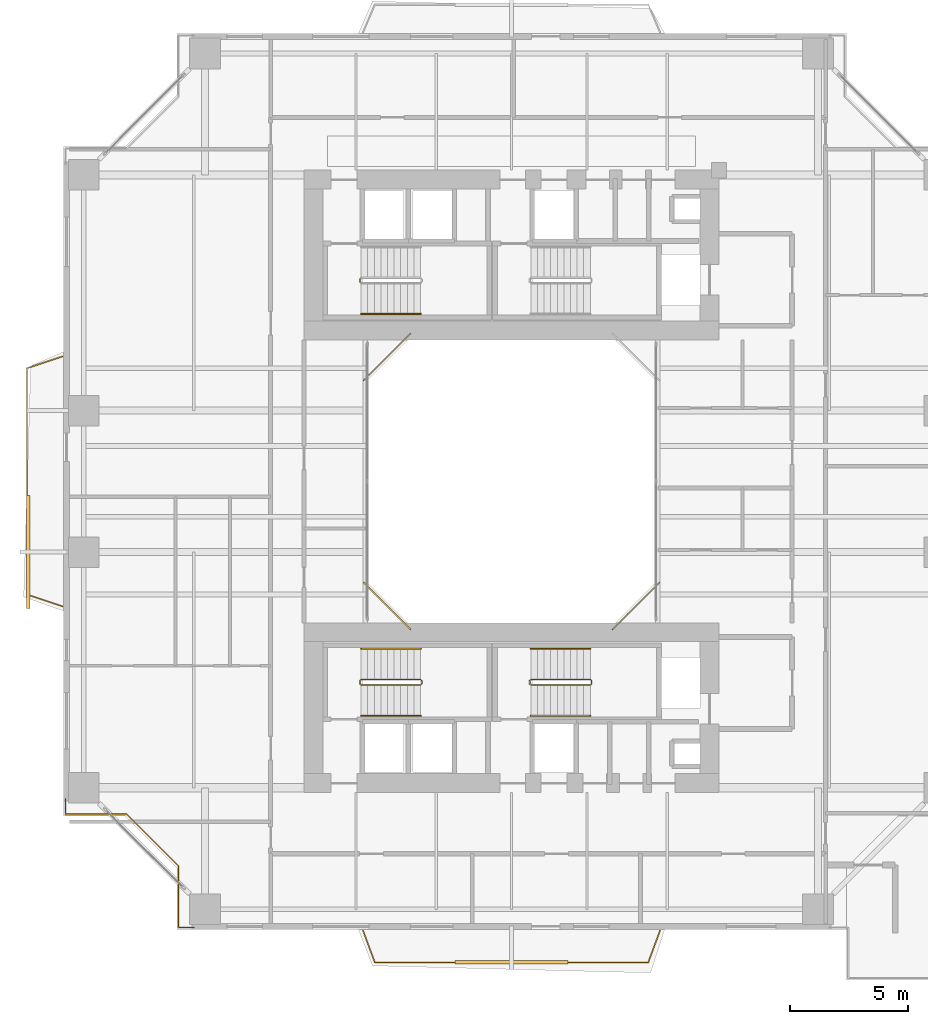
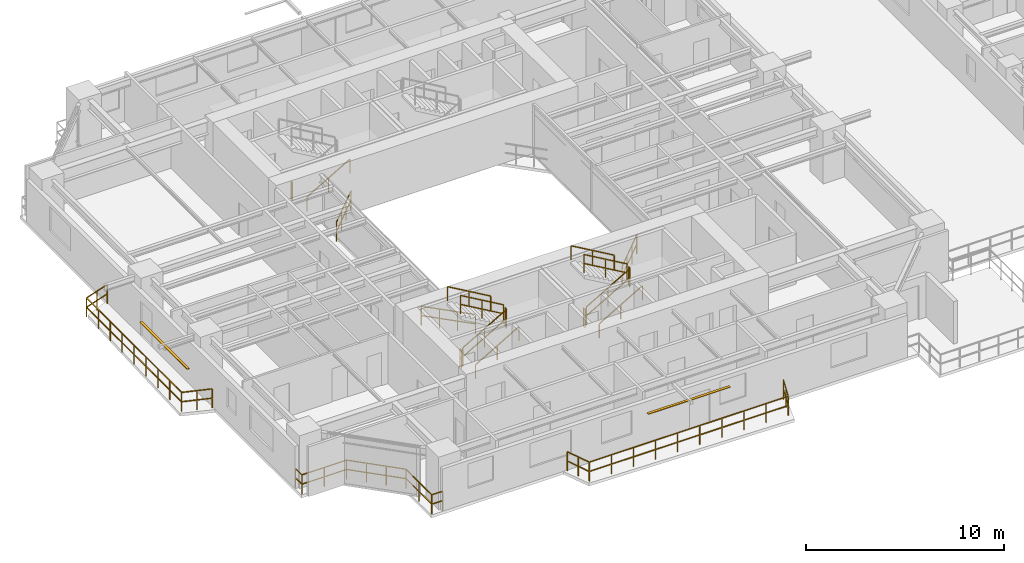
# One storey, part 18 of 22: 20 railings, 2 shading devices.
"""IFC4 building model written with IfcOpenShell, lengths in metres."""

import ifcopenshell
import ifcopenshell.guid

model = None  # the IFC model being written
_history = None  # IfcOwnerHistory: only IFC2X3 demands one
_inside = {}  # id of a spatial element -> (the spatial element, [elements in it])
_under = {}  # id of a project, library or spatial element -> (it, [spatial elements below it])
_declared = {}  # id of a project -> (the project, [libraries it declares])
_typed = {}  # id of a type object -> (the type object, [elements of that type])
_made_of = {}  # id of a material, layer set ... -> (it, [elements and type objects made of it])


def new_model(schema):
    """Start an empty IFC model of exactly this schema.

    Asked for "IFC4X3", IfcOpenShell would pick the latest addendum, in which some entities
    have other attributes; the version numbers below select the first issue.
    IFC2X3 requires an IfcOwnerHistory on every rooted entity: one is made here for all.
    """
    global model, _history
    if schema == "IFC4X3":
        model = ifcopenshell.file(schema_version=(4, 3, 0, 0))
    else:
        model = ifcopenshell.file(schema=schema)
    _inside.clear()
    _under.clear()
    _declared.clear()
    _typed.clear()
    _made_of.clear()
    _history = None
    if model.schema == "IFC2X3":
        org = make("IfcOrganization", Name="unknown")
        user = make(
            "IfcPersonAndOrganization",
            ThePerson=make("IfcPerson", FamilyName="unknown"),
            TheOrganization=org,
        )
        app = make(
            "IfcApplication",
            ApplicationDeveloper=org,
            Version="unknown",
            ApplicationFullName="unknown",
            ApplicationIdentifier="unknown",
        )
        _history = make(
            "IfcOwnerHistory",
            OwningUser=user,
            OwningApplication=app,
            ChangeAction="ADDED",
            CreationDate=0,
        )
    return model


def make(cls, **values):
    """One entity of the class cls with the attributes given. An attribute that is None is left unset."""
    return model.create_entity(
        cls, **{name: value for name, value in values.items() if value is not None}
    )


def rooted(cls, **values):
    """An entity with a GlobalId (a new one), such as an element, a storey or a relation."""
    return make(cls, GlobalId=ifcopenshell.guid.new(), OwnerHistory=_history, **values)


def si_unit(unit_type, name, prefix=None):
    """IfcSIUnit, for example si_unit("LENGTHUNIT", "METRE", prefix="MILLI")."""
    return make("IfcSIUnit", UnitType=unit_type, Prefix=prefix, Name=name)


def assignment(units):
    """IfcUnitAssignment: the units of a project."""
    return None if units is None else make("IfcUnitAssignment", Units=units)


def point(xyz):
    """IfcCartesianPoint."""
    return None if xyz is None else make("IfcCartesianPoint", Coordinates=xyz)


def direction(xyz):
    """IfcDirection."""
    return None if xyz is None else make("IfcDirection", DirectionRatios=xyz)


def frame(location, z_axis=None, x_axis=None):
    """IfcAxis2Placement3D, a coordinate frame: its origin and axes. An axis left out is left unset."""
    return make(
        "IfcAxis2Placement3D",
        Location=point(location),
        Axis=direction(z_axis),
        RefDirection=direction(x_axis),
    )


def frame_2d(location, x_axis=None):
    """IfcAxis2Placement2D, a coordinate frame in the plane: its origin and x axis."""
    return make(
        "IfcAxis2Placement2D", Location=point(location), RefDirection=direction(x_axis)
    )


def origin():
    """The frame at (0, 0, 0) with its axes left unset."""
    return frame((0.0, 0.0, 0.0))


def origin_2d():
    """The frame at (0, 0) in the plane with its x axis left unset."""
    return frame_2d((0.0, 0.0))


def place(relative_to, where):
    """IfcLocalPlacement: puts the frame where relative to a parent placement (None: the world)."""
    return make(
        "IfcLocalPlacement", PlacementRelTo=relative_to, RelativePlacement=where
    )


def context(
    kind, dimensions, precision=None, world=None, true_north=None, identifier=None
):
    """IfcGeometricRepresentationContext, for example the 3D "Model" context."""
    return make(
        "IfcGeometricRepresentationContext",
        ContextIdentifier=identifier,
        ContextType=kind,
        CoordinateSpaceDimension=dimensions,
        Precision=precision,
        WorldCoordinateSystem=world,
        TrueNorth=true_north,
    )


def subcontext(parent, identifier, kind, view, scale=None):
    """IfcGeometricRepresentationSubContext, for example "Body" below "Model"."""
    return make(
        "IfcGeometricRepresentationSubContext",
        ContextIdentifier=identifier,
        ContextType=kind,
        ParentContext=parent,
        TargetScale=scale,
        TargetView=view,
    )


def project(units=None, contexts=None):
    """IfcProject with its units and contexts."""
    return rooted(
        "IfcProject",
        Name="project",
        RepresentationContexts=contexts,
        UnitsInContext=assignment(units),
    )


def spatial(cls, under=None, at=None, **own):
    """A site, building, storey or space (cls), placed at a placement, below another one or the project."""
    s = rooted(cls, ObjectPlacement=at, **own)
    if under is not None:
        _under.setdefault(under.id(), (under, []))[1].append(s)
    return s


def profile(cls, at=None, kind="AREA", **sizes):
    """A parametric profile (cls). Its sizes go by their IFC names, for example OverallWidth=200.0."""
    return make(cls, ProfileType=kind, Position=at, **sizes)


def rectangle(**sizes):
    """IfcRectangleProfileDef."""
    return profile("IfcRectangleProfileDef", **sizes)


def extrude(swept, where, along, depth):
    """IfcExtrudedAreaSolid: the profile swept, set in the frame where, extruded along a direction by depth."""
    return make(
        "IfcExtrudedAreaSolid",
        SweptArea=swept,
        Position=where,
        ExtrudedDirection=direction(along),
        Depth=depth,
    )


def shape(context_of_items, identifier, shape_type, items):
    """IfcShapeRepresentation: the items that make up one representation, for example the "Body"."""
    return make(
        "IfcShapeRepresentation",
        ContextOfItems=context_of_items,
        RepresentationIdentifier=identifier,
        RepresentationType=shape_type,
        Items=items,
    )


def source(mapping_origin, context_of_items, identifier, shape_type, items):
    """IfcRepresentationMap: a shape defined once, which mapped items show again and again."""
    return make(
        "IfcRepresentationMap",
        MappingOrigin=mapping_origin,
        MappedRepresentation=shape(context_of_items, identifier, shape_type, items),
    )


def transform(
    local_origin,
    x_axis=None,
    y_axis=None,
    z_axis=None,
    scale=None,
    scale2=None,
    scale3=None,
    uniform=True,
):
    """IfcCartesianTransformationOperator3D, or its non-uniform kind. x_axis, y_axis, z_axis: its Axis1, 2, 3."""
    if uniform:
        return make(
            "IfcCartesianTransformationOperator3D",
            Axis1=direction(x_axis),
            Axis2=direction(y_axis),
            LocalOrigin=point(local_origin),
            Scale=scale,
            Axis3=direction(z_axis),
        )
    return make(
        "IfcCartesianTransformationOperator3DnonUniform",
        Axis1=direction(x_axis),
        Axis2=direction(y_axis),
        LocalOrigin=point(local_origin),
        Scale=scale,
        Axis3=direction(z_axis),
        Scale2=scale2,
        Scale3=scale3,
    )


def mapped(mapping_source, mapping_target):
    """IfcMappedItem: shows the shape of a source again, moved by a transform."""
    return make(
        "IfcMappedItem", MappingSource=mapping_source, MappingTarget=mapping_target
    )


def material(Name=None, Category=None):
    """IfcMaterial."""
    return make("IfcMaterial", Name=Name, Category=Category)


def material_profile(
    of_material, cross_section, Name=None, Category=None, Priority=None
):
    """IfcMaterialProfile: a cross section and its material."""
    return make(
        "IfcMaterialProfile",
        Name=Name,
        Material=of_material,
        Profile=cross_section,
        Priority=Priority,
        Category=Category,
    )


def profile_set(profiles, Name=None, composite=None):
    """IfcMaterialProfileSet."""
    return make(
        "IfcMaterialProfileSet",
        Name=Name,
        MaterialProfiles=profiles,
        CompositeProfile=composite,
    )


def made_of(thing, what):
    """Note that an element or type object is made of a material, layer set ...; save() writes the relation."""
    if what is not None:
        _made_of.setdefault(what.id(), (what, []))[1].append(thing)
    return thing


def type_object(cls, material=None, **own):
    """A type object (cls), such as IfcWallType, which elements share."""
    return made_of(rooted(cls, **own), material)


def element(
    cls,
    number,
    at=None,
    inside=None,
    cuts=None,
    type_object=None,
    material=None,
    context=None,
    identifier="Body",
    shape_type=None,
    held_by="IfcProductDefinitionShape",
    body=None,
    shapes=None,
    **own,
):
    """One element of the class cls, such as IfcWall. Its Tag is "e" and its number.

    at: its placement. inside: the storey or other place that contains it. cuts: it is an
    opening in that element (IfcRelVoidsElement). A single representation is given by context,
    identifier, shape_type and body (its items); several are given by shapes. held_by: the class
    of the entity that holds the representations. save() writes the other relations.
    """
    e = rooted(cls, Tag="e%d" % number, ObjectPlacement=at, **own)
    if body is not None:
        shapes = [shape(context, identifier, shape_type, body)]
    if shapes is not None:
        e.Representation = make(held_by, Representations=shapes)
    if inside is not None:
        _inside.setdefault(inside.id(), (inside, []))[1].append(e)
    if cuts is not None:
        rooted(
            "IfcRelVoidsElement", RelatingBuildingElement=cuts, RelatedOpeningElement=e
        )
    if type_object is not None:
        _typed.setdefault(type_object.id(), (type_object, []))[1].append(e)
    return made_of(e, material)


def aggregate(whole, parts):
    """IfcRelAggregates: a whole, such as a stair, and the parts it consists of."""
    return rooted("IfcRelAggregates", RelatingObject=whole, RelatedObjects=parts)


def save(model, path):
    """Write the relations noted so far, then the file.

    IfcRelAggregates (storeys below a building ...), IfcRelContainedInSpatialStructure (elements
    in a storey), IfcRelDefinesByType, IfcRelAssociatesMaterial and IfcRelDeclares: one each for
    every whole, place, type object, material and project.
    """
    for whole, parts in _under.values():
        aggregate(whole, parts)
    for where, things in _inside.values():
        rooted(
            "IfcRelContainedInSpatialStructure",
            RelatedElements=things,
            RelatingStructure=where,
        )
    for kind, things in _typed.values():
        rooted("IfcRelDefinesByType", RelatedObjects=things, RelatingType=kind)
    for what, things in _made_of.values():
        rooted("IfcRelAssociatesMaterial", RelatedObjects=things, RelatingMaterial=what)
    for by, libraries in _declared.values():
        rooted("IfcRelDeclares", RelatingContext=by, RelatedDefinitions=libraries)
    model.write(path)


model = new_model("IFC4")

# Units and contexts
model_context = context("Model", 3, precision=1e-05, world=origin(), true_north=direction((0.0, 1.0)))
body_context = subcontext(model_context, "Body", "Model", "MODEL_VIEW")
ifc_project = project(units=[si_unit("LENGTHUNIT", "METRE"), si_unit("AREAUNIT", "SQUARE_METRE"), si_unit("VOLUMEUNIT", "CUBIC_METRE"), si_unit("PLANEANGLEUNIT", "RADIAN"), si_unit("MASSUNIT", "GRAM", prefix="KILO"), si_unit("THERMODYNAMICTEMPERATUREUNIT", "KELVIN"), si_unit("POWERUNIT", "WATT")], contexts=[model_context])

# Site, building, storey
site_placement = place(None, origin())
site = spatial("IfcSite", under=ifc_project, at=site_placement, CompositionType="ELEMENT")
building_placement = place(site_placement, origin())
building = spatial("IfcBuilding", under=site, at=building_placement, Name="Qiaomeng Ring Towers", CompositionType="ELEMENT")
storey_placement = place(building_placement, frame((0.0, 0.0, 23.0)))
storey = spatial("IfcBuildingStorey", under=building, at=storey_placement, Name="L05", CompositionType="ELEMENT", Elevation=23.0)

# Railings
ifc_material_1 = material(Name="Low-E pale-green laminated safety glass", Category="glass")
railing_type_1 = type_object("IfcRailingType", Name="ARC-RL-BAL1", PredefinedType="BALUSTRADE", material=ifc_material_1)
railing_1_placement = place(storey_placement, frame((23.280029296875, 16.719970703125, 0.0)))
element("IfcRailing", 1, at=railing_1_placement, inside=storey, type_object=railing_type_1, Name="L05 Balustrade ARC-BAL-WELL1-L05-1", PredefinedType="BALUSTRADE", context=body_context, shape_type="SweptSolid", body=[
    extrude(rectangle(XDim=0.048095703125, YDim=0.048095703125, at=origin_2d()), frame((0.0, 0.0, 1.17578125), z_axis=(0.707106781187, 0.707106781187, 0.0), x_axis=(-0.707106781187, 0.707106781187, 0.0)), (0.0, 0.0, 1.0), 2.828369140625),
    extrude(rectangle(XDim=0.048095703125, YDim=0.048095703125, at=origin_2d()), frame((0.0, 0.0, 0.60009765625), z_axis=(0.707106781187, 0.707106781187, 0.0), x_axis=(-0.707106781187, 0.707106781187, 0.0)), (0.0, 0.0, 1.0), 2.828369140625),
    extrude(rectangle(XDim=0.0419921875, YDim=0.0419921875, at=origin_2d()), origin(), (0.0, 0.0, 1.0), 1.15185546875),
    extrude(rectangle(XDim=0.0419921875, YDim=0.0419921875, at=origin_2d()), frame((0.666748046875, 0.666748046875, 0.0)), (0.0, 0.0, 1.0), 1.15185546875),
    extrude(rectangle(XDim=0.0419921875, YDim=0.0419921875, at=origin_2d()), frame((1.333251953125, 1.333251953125, 0.0)), (0.0, 0.0, 1.0), 1.15185546875),
    extrude(rectangle(XDim=0.0419921875, YDim=0.0419921875, at=origin_2d()), frame((2.0, 2.0, 0.0)), (0.0, 0.0, 1.0), 1.15185546875),
])
railing_2_placement = place(storey_placement, frame((14.719970703125, 29.280029296875, 0.0)))
element("IfcRailing", 2, at=railing_2_placement, inside=storey, type_object=railing_type_1, Name="L05 Balustrade ARC-BAL-WELL1-L05-3", PredefinedType="BALUSTRADE", context=body_context, shape_type="SweptSolid", body=[
    extrude(rectangle(XDim=0.048095703125, YDim=0.048095703125, at=origin_2d()), frame((0.0, 0.0, 1.17578125), z_axis=(-0.707106781187, -0.707106781187, 0.0), x_axis=(0.707106781187, -0.707106781187, 0.0)), (0.0, 0.0, 1.0), 2.828369140625),
    extrude(rectangle(XDim=0.048095703125, YDim=0.048095703125, at=origin_2d()), frame((0.0, 0.0, 0.60009765625), z_axis=(-0.707106781187, -0.707106781187, 0.0), x_axis=(0.707106781187, -0.707106781187, 0.0)), (0.0, 0.0, 1.0), 2.828369140625),
    extrude(rectangle(XDim=0.0419921875, YDim=0.0419921875, at=origin_2d()), origin(), (0.0, 0.0, 1.0), 1.15185546875),
    extrude(rectangle(XDim=0.0419921875, YDim=0.0419921875, at=origin_2d()), frame((-0.666748046875, -0.666748046875, 0.0)), (0.0, 0.0, 1.0), 1.15185546875),
    extrude(rectangle(XDim=0.0419921875, YDim=0.0419921875, at=origin_2d()), frame((-1.333251953125, -1.333251953125, 0.0)), (0.0, 0.0, 1.0), 1.15185546875),
    extrude(rectangle(XDim=0.0419921875, YDim=0.0419921875, at=origin_2d()), frame((-2.0, -2.0, 0.0)), (0.0, 0.0, 1.0), 1.15185546875),
])
railing_3_placement = place(storey_placement, frame((12.719970703125, 18.719970703125, 0.0)))
element("IfcRailing", 3, at=railing_3_placement, inside=storey, type_object=railing_type_1, Name="L05 Balustrade ARC-BAL-WELL1-L05-4", PredefinedType="BALUSTRADE", context=body_context, shape_type="SweptSolid", body=[
    extrude(rectangle(XDim=0.048095703125, YDim=0.048095703125, at=origin_2d()), frame((0.0, 0.0, 1.17578125), z_axis=(0.707106781187, -0.707106781187, 0.0), x_axis=(0.707106781187, 0.707106781187, 0.0)), (0.0, 0.0, 1.0), 2.828369140625),
    extrude(rectangle(XDim=0.048095703125, YDim=0.048095703125, at=origin_2d()), frame((0.0, 0.0, 0.60009765625), z_axis=(0.707106781187, -0.707106781187, 0.0), x_axis=(0.707106781187, 0.707106781187, 0.0)), (0.0, 0.0, 1.0), 2.828369140625),
    extrude(rectangle(XDim=0.0419921875, YDim=0.0419921875, at=origin_2d()), origin(), (0.0, 0.0, 1.0), 1.15185546875),
    extrude(rectangle(XDim=0.0419921875, YDim=0.0419921875, at=origin_2d()), frame((0.666748046875, -0.666748046875, 0.0)), (0.0, 0.0, 1.0), 1.15185546875),
    extrude(rectangle(XDim=0.0419921875, YDim=0.0419921875, at=origin_2d()), frame((1.333251953125, -1.333251953125, 0.0)), (0.0, 0.0, 1.0), 1.15185546875),
    extrude(rectangle(XDim=0.0419921875, YDim=0.0419921875, at=origin_2d()), frame((2.0, -2.0, 0.0)), (0.0, 0.0, 1.0), 1.15185546875),
])
railing_4_placement = place(storey_placement, frame((0.080078125, 9.530029296875, 0.0)))
element("IfcRailing", 4, at=railing_4_placement, inside=storey, type_object=railing_type_1, Name="L05 Balustrade ARC-BAL-NOTCH1-L05-SW", PredefinedType="BALUSTRADE", context=body_context, shape_type="SweptSolid", body=[
    extrude(rectangle(XDim=0.048095703125, YDim=0.048095703125, at=origin_2d()), frame((0.0, 0.0, 1.17578125), z_axis=(0.0, -1.0, 0.0), x_axis=(1.0, 0.0, 0.0)), (0.0, 0.0, 1.0), 0.650146484375),
    extrude(rectangle(XDim=0.048095703125, YDim=0.048095703125, at=origin_2d()), frame((0.0, 0.0, 0.60009765625), z_axis=(0.0, -1.0, 0.0), x_axis=(1.0, 0.0, 0.0)), (0.0, 0.0, 1.0), 0.650146484375),
    extrude(rectangle(XDim=0.048095703125, YDim=0.048095703125, at=origin_2d()), frame((0.0, -0.650146484375, 1.17578125), z_axis=(1.0, 0.0, 0.0), x_axis=(0.0, 1.0, 0.0)), (0.0, 0.0, 1.0), 2.599853515625),
    extrude(rectangle(XDim=0.048095703125, YDim=0.048095703125, at=origin_2d()), frame((0.0, -0.650146484375, 0.60009765625), z_axis=(1.0, 0.0, 0.0), x_axis=(0.0, 1.0, 0.0)), (0.0, 0.0, 1.0), 2.599853515625),
    extrude(rectangle(XDim=0.048095703125, YDim=0.048095703125, at=origin_2d()), frame((2.599853515625, -0.650146484375, 1.17578125), z_axis=(0.707106781187, -0.707106781187, 0.0), x_axis=(0.707106781187, 0.707106781187, 0.0)), (0.0, 0.0, 1.0), 3.111083984375),
    extrude(rectangle(XDim=0.048095703125, YDim=0.048095703125, at=origin_2d()), frame((2.599853515625, -0.650146484375, 0.60009765625), z_axis=(0.707106781187, -0.707106781187, 0.0), x_axis=(0.707106781187, 0.707106781187, 0.0)), (0.0, 0.0, 1.0), 3.111083984375),
    extrude(rectangle(XDim=0.048095703125, YDim=0.048095703125, at=origin_2d()), frame((4.7998046875, -2.85009765625, 1.17578125), z_axis=(0.0, -1.0, 0.0), x_axis=(1.0, 0.0, 0.0)), (0.0, 0.0, 1.0), 2.599853515625),
    extrude(rectangle(XDim=0.048095703125, YDim=0.048095703125, at=origin_2d()), frame((4.7998046875, -2.85009765625, 0.60009765625), z_axis=(0.0, -1.0, 0.0), x_axis=(1.0, 0.0, 0.0)), (0.0, 0.0, 1.0), 2.599853515625),
    extrude(rectangle(XDim=0.048095703125, YDim=0.048095703125, at=origin_2d()), frame((4.7998046875, -5.449951171875, 1.17578125), z_axis=(1.0, 0.0, 0.0), x_axis=(0.0, 1.0, 0.0)), (0.0, 0.0, 1.0), 0.650146484375),
    extrude(rectangle(XDim=0.048095703125, YDim=0.048095703125, at=origin_2d()), frame((4.7998046875, -5.449951171875, 0.60009765625), z_axis=(1.0, 0.0, 0.0), x_axis=(0.0, 1.0, 0.0)), (0.0, 0.0, 1.0), 0.650146484375),
    extrude(rectangle(XDim=0.0419921875, YDim=0.0419921875, at=origin_2d()), origin(), (0.0, 0.0, 1.0), 1.15185546875),
    extrude(rectangle(XDim=0.0419921875, YDim=0.0419921875, at=origin_2d()), frame((0.0, -0.650146484375, 0.0)), (0.0, 0.0, 1.0), 1.15185546875),
    extrude(rectangle(XDim=0.0419921875, YDim=0.0419921875, at=origin_2d()), frame((1.2998046875, -0.650146484375, 0.0)), (0.0, 0.0, 1.0), 1.15185546875),
    extrude(rectangle(XDim=0.0419921875, YDim=0.0419921875, at=origin_2d()), frame((2.599853515625, -0.650146484375, 0.0)), (0.0, 0.0, 1.0), 1.15185546875),
    extrude(rectangle(XDim=0.0419921875, YDim=0.0419921875, at=origin_2d()), frame((3.333251953125, -1.383544921875, 0.0)), (0.0, 0.0, 1.0), 1.15185546875),
    extrude(rectangle(XDim=0.0419921875, YDim=0.0419921875, at=origin_2d()), frame((4.06640625, -2.11669921875, 0.0)), (0.0, 0.0, 1.0), 1.15185546875),
    extrude(rectangle(XDim=0.0419921875, YDim=0.0419921875, at=origin_2d()), frame((4.7998046875, -2.85009765625, 0.0)), (0.0, 0.0, 1.0), 1.15185546875),
    extrude(rectangle(XDim=0.0419921875, YDim=0.0419921875, at=origin_2d()), frame((4.7998046875, -4.14990234375, 0.0)), (0.0, 0.0, 1.0), 1.15185546875),
    extrude(rectangle(XDim=0.0419921875, YDim=0.0419921875, at=origin_2d()), frame((4.7998046875, -5.449951171875, 0.0)), (0.0, 0.0, 1.0), 1.15185546875),
    extrude(rectangle(XDim=0.0419921875, YDim=0.0419921875, at=origin_2d()), frame((5.449951171875, -5.449951171875, 0.0)), (0.0, 0.0, 1.0), 1.15185546875),
])
railing_5_placement = place(storey_placement, frame((12.699951171875, 3.949951171875, 0.0)))
element("IfcRailing", 5, at=railing_5_placement, inside=storey, type_object=railing_type_1, Name="L05 Balustrade ARC-BAL-L05-T1-S", PredefinedType="BALUSTRADE", context=body_context, shape_type="SweptSolid", body=[
    extrude(rectangle(XDim=0.048095703125, YDim=0.048095703125, at=origin_2d()), frame((0.0, 0.0, 1.17578125), z_axis=(0.347347498827, -0.937736484871, 0.0), x_axis=(0.937736484871, 0.347347498827, 0.0)), (0.0, 0.0, 1.0), 1.439453125),
    extrude(rectangle(XDim=0.048095703125, YDim=0.048095703125, at=origin_2d()), frame((0.0, 0.0, 0.60009765625), z_axis=(0.347347498827, -0.937736484871, 0.0), x_axis=(0.937736484871, 0.347347498827, 0.0)), (0.0, 0.0, 1.0), 1.439453125),
    extrude(rectangle(XDim=0.048095703125, YDim=0.048095703125, at=origin_2d()), frame((0.5, -1.349853515625, 1.17578125), z_axis=(1.0, 0.0, 0.0), x_axis=(0.0, 1.0, 0.0)), (0.0, 0.0, 1.0), 11.60009765625),
    extrude(rectangle(XDim=0.048095703125, YDim=0.048095703125, at=origin_2d()), frame((0.5, -1.349853515625, 0.60009765625), z_axis=(1.0, 0.0, 0.0), x_axis=(0.0, 1.0, 0.0)), (0.0, 0.0, 1.0), 11.60009765625),
    extrude(rectangle(XDim=0.048095703125, YDim=0.048095703125, at=origin_2d()), frame((12.10009765625, -1.349853515625, 1.17578125), z_axis=(0.347347498827, 0.937736484871, 0.0), x_axis=(-0.937736484871, 0.347347498827, 0.0)), (0.0, 0.0, 1.0), 1.439453125),
    extrude(rectangle(XDim=0.048095703125, YDim=0.048095703125, at=origin_2d()), frame((12.10009765625, -1.349853515625, 0.60009765625), z_axis=(0.347347498827, 0.937736484871, 0.0), x_axis=(-0.937736484871, 0.347347498827, 0.0)), (0.0, 0.0, 1.0), 1.439453125),
    extrude(rectangle(XDim=0.0419921875, YDim=0.0419921875, at=origin_2d()), origin(), (0.0, 0.0, 1.0), 1.15185546875),
    extrude(rectangle(XDim=0.0419921875, YDim=0.0419921875, at=origin_2d()), frame((0.25, -0.6748046875, 0.0)), (0.0, 0.0, 1.0), 1.15185546875),
    extrude(rectangle(XDim=0.0419921875, YDim=0.0419921875, at=origin_2d()), frame((0.5, -1.349853515625, 0.0)), (0.0, 0.0, 1.0), 1.15185546875),
    extrude(rectangle(XDim=0.0419921875, YDim=0.0419921875, at=origin_2d()), frame((1.788818359375, -1.349853515625, 0.0)), (0.0, 0.0, 1.0), 1.15185546875),
    extrude(rectangle(XDim=0.0419921875, YDim=0.0419921875, at=origin_2d()), frame((3.077880859375, -1.349853515625, 0.0)), (0.0, 0.0, 1.0), 1.15185546875),
    extrude(rectangle(XDim=0.0419921875, YDim=0.0419921875, at=origin_2d()), frame((4.36669921875, -1.349853515625, 0.0)), (0.0, 0.0, 1.0), 1.15185546875),
    extrude(rectangle(XDim=0.0419921875, YDim=0.0419921875, at=origin_2d()), frame((5.655517578125, -1.349853515625, 0.0)), (0.0, 0.0, 1.0), 1.15185546875),
    extrude(rectangle(XDim=0.0419921875, YDim=0.0419921875, at=origin_2d()), frame((6.944580078125, -1.349853515625, 0.0)), (0.0, 0.0, 1.0), 1.15185546875),
    extrude(rectangle(XDim=0.0419921875, YDim=0.0419921875, at=origin_2d()), frame((8.2333984375, -1.349853515625, 0.0)), (0.0, 0.0, 1.0), 1.15185546875),
    extrude(rectangle(XDim=0.0419921875, YDim=0.0419921875, at=origin_2d()), frame((9.522216796875, -1.349853515625, 0.0)), (0.0, 0.0, 1.0), 1.15185546875),
    extrude(rectangle(XDim=0.0419921875, YDim=0.0419921875, at=origin_2d()), frame((10.811279296875, -1.349853515625, 0.0)), (0.0, 0.0, 1.0), 1.15185546875),
    extrude(rectangle(XDim=0.0419921875, YDim=0.0419921875, at=origin_2d()), frame((12.10009765625, -1.349853515625, 0.0)), (0.0, 0.0, 1.0), 1.15185546875),
    extrude(rectangle(XDim=0.0419921875, YDim=0.0419921875, at=origin_2d()), frame((12.35009765625, -0.6748046875, 0.0)), (0.0, 0.0, 1.0), 1.15185546875),
    extrude(rectangle(XDim=0.0419921875, YDim=0.0419921875, at=origin_2d()), frame((12.60009765625, 0.0, 0.0)), (0.0, 0.0, 1.0), 1.15185546875),
])
railing_6_placement = place(storey_placement, frame((-0.050048828125, 17.699951171875, 0.0)))
element("IfcRailing", 6, at=railing_6_placement, inside=storey, type_object=railing_type_1, Name="L05 Balustrade ARC-BAL-L05-T1-W", PredefinedType="BALUSTRADE", context=body_context, shape_type="SweptSolid", body=[
    extrude(rectangle(XDim=0.048095703125, YDim=0.048095703125, at=origin_2d()), frame((0.0, 0.0, 1.17578125), z_axis=(-0.948683298051, 0.316227766017, 0.0), x_axis=(-0.316227766017, -0.948683298051, 0.0)), (0.0, 0.0, 1.0), 1.5810546875),
    extrude(rectangle(XDim=0.048095703125, YDim=0.048095703125, at=origin_2d()), frame((0.0, 0.0, 0.60009765625), z_axis=(-0.948683298051, 0.316227766017, 0.0), x_axis=(-0.316227766017, -0.948683298051, 0.0)), (0.0, 0.0, 1.0), 1.5810546875),
    extrude(rectangle(XDim=0.048095703125, YDim=0.048095703125, at=origin_2d()), frame((-1.5, 0.5, 1.17578125), z_axis=(0.0, 1.0, 0.0), x_axis=(-1.0, 0.0, 0.0)), (0.0, 0.0, 1.0), 9.60009765625),
    extrude(rectangle(XDim=0.048095703125, YDim=0.048095703125, at=origin_2d()), frame((-1.5, 0.5, 0.60009765625), z_axis=(0.0, 1.0, 0.0), x_axis=(-1.0, 0.0, 0.0)), (0.0, 0.0, 1.0), 9.60009765625),
    extrude(rectangle(XDim=0.048095703125, YDim=0.048095703125, at=origin_2d()), frame((-1.5, 10.10009765625, 1.17578125), z_axis=(0.948683298051, 0.316227766017, 0.0), x_axis=(-0.316227766017, 0.948683298051, 0.0)), (0.0, 0.0, 1.0), 1.5810546875),
    extrude(rectangle(XDim=0.048095703125, YDim=0.048095703125, at=origin_2d()), frame((-1.5, 10.10009765625, 0.60009765625), z_axis=(0.948683298051, 0.316227766017, 0.0), x_axis=(-0.316227766017, 0.948683298051, 0.0)), (0.0, 0.0, 1.0), 1.5810546875),
    extrude(rectangle(XDim=0.0419921875, YDim=0.0419921875, at=origin_2d()), origin(), (0.0, 0.0, 1.0), 1.15185546875),
    extrude(rectangle(XDim=0.0419921875, YDim=0.0419921875, at=origin_2d()), frame((-0.75, 0.25, 0.0)), (0.0, 0.0, 1.0), 1.15185546875),
    extrude(rectangle(XDim=0.0419921875, YDim=0.0419921875, at=origin_2d()), frame((-1.5, 0.5, 0.0)), (0.0, 0.0, 1.0), 1.15185546875),
    extrude(rectangle(XDim=0.0419921875, YDim=0.0419921875, at=origin_2d()), frame((-1.5, 1.699951171875, 0.0)), (0.0, 0.0, 1.0), 1.15185546875),
    extrude(rectangle(XDim=0.0419921875, YDim=0.0419921875, at=origin_2d()), frame((-1.5, 2.89990234375, 0.0)), (0.0, 0.0, 1.0), 1.15185546875),
    extrude(rectangle(XDim=0.0419921875, YDim=0.0419921875, at=origin_2d()), frame((-1.5, 4.10009765625, 0.0)), (0.0, 0.0, 1.0), 1.15185546875),
    extrude(rectangle(XDim=0.0419921875, YDim=0.0419921875, at=origin_2d()), frame((-1.5, 5.300048828125, 0.0)), (0.0, 0.0, 1.0), 1.15185546875),
    extrude(rectangle(XDim=0.0419921875, YDim=0.0419921875, at=origin_2d()), frame((-1.5, 6.5, 0.0)), (0.0, 0.0, 1.0), 1.15185546875),
    extrude(rectangle(XDim=0.0419921875, YDim=0.0419921875, at=origin_2d()), frame((-1.5, 7.7001953125, 0.0)), (0.0, 0.0, 1.0), 1.15185546875),
    extrude(rectangle(XDim=0.0419921875, YDim=0.0419921875, at=origin_2d()), frame((-1.5, 8.900146484375, 0.0)), (0.0, 0.0, 1.0), 1.15185546875),
    extrude(rectangle(XDim=0.0419921875, YDim=0.0419921875, at=origin_2d()), frame((-1.5, 10.10009765625, 0.0)), (0.0, 0.0, 1.0), 1.15185546875),
    extrude(rectangle(XDim=0.0419921875, YDim=0.0419921875, at=origin_2d()), frame((-0.75, 10.35009765625, 0.0)), (0.0, 0.0, 1.0), 1.15185546875),
    extrude(rectangle(XDim=0.0419921875, YDim=0.0419921875, at=origin_2d()), frame((0.0, 10.60009765625, 0.0)), (0.0, 0.0, 1.0), 1.15185546875),
])
ifc_material_2 = material(Name="Galvanised steel", Category="steel")
railing_type_2 = type_object("IfcRailingType", Name="ARC-RL-GUARD", PredefinedType="GUARDRAIL", material=ifc_material_2)
railing_7_placement = place(storey_placement, frame((12.570068359375, 31.449951171875, 0.0)))
element("IfcRailing", 7, at=railing_7_placement, inside=storey, type_object=railing_type_2, Name="L05 ST1 stair guard 4", PredefinedType="GUARDRAIL", context=body_context, shape_type="SweptSolid", body=[
    extrude(rectangle(XDim=0.048095703125, YDim=0.048095703125, at=origin_2d()), frame((0.0, 0.0, 1.1259765625), z_axis=(0.0, 1.0, 0.0), x_axis=(-1.0, 0.0, 0.0)), (0.0, 0.0, 1.0), 0.14013671875),
    extrude(rectangle(XDim=0.048095703125, YDim=0.048095703125, at=origin_2d()), frame((0.0, 0.0, 0.574951171875), z_axis=(0.0, 1.0, 0.0), x_axis=(-1.0, 0.0, 0.0)), (0.0, 0.0, 1.0), 0.14013671875),
    extrude(rectangle(XDim=0.0419921875, YDim=0.0419921875, at=origin_2d()), origin(), (0.0, 0.0, 1.0), 1.101806640625),
    extrude(rectangle(XDim=0.0419921875, YDim=0.0419921875, at=origin_2d()), frame((0.0, 0.14013671875, 0.0)), (0.0, 0.0, 1.0), 1.101806640625),
])
railing_8_placement = place(storey_placement, frame((12.6201171875, 14.360107421875, 0.16259765625)))
element("IfcRailing", 8, at=railing_8_placement, inside=storey, type_object=railing_type_2, Name="L05 ST3 stair guard 1", PredefinedType="GUARDRAIL", context=body_context, shape_type="SweptSolid", body=[
    extrude(rectangle(XDim=0.048095703125, YDim=0.048095703125, at=origin_2d()), frame((0.0, 0.0, 1.1259765625), z_axis=(0.864892226395, 0.0, 0.501957604506), x_axis=(0.0, 1.0, 0.0)), (0.0, 0.0, 1.0), 2.913330078125),
    extrude(rectangle(XDim=0.048095703125, YDim=0.048095703125, at=origin_2d()), frame((0.0, 0.0, 0.574951171875), z_axis=(0.864892226395, 0.0, 0.501957604506), x_axis=(0.0, 1.0, 0.0)), (0.0, 0.0, 1.0), 2.913330078125),
    extrude(rectangle(XDim=0.0419921875, YDim=0.0419921875, at=origin_2d()), origin(), (0.0, 0.0, 1.0), 1.101806640625),
    extrude(rectangle(XDim=0.0419921875, YDim=0.0419921875, at=origin_2d()), frame((1.259765625, 0.0, 0.731201171875)), (0.0, 0.0, 1.0), 1.101806640625),
    extrude(rectangle(XDim=0.0419921875, YDim=0.0419921875, at=origin_2d()), frame((2.519775390625, 0.0, 1.46240234375)), (0.0, 0.0, 1.0), 1.101806640625),
])
railing_9_placement = place(storey_placement, frame((15.18994140625, 14.409912109375, 1.625)))
element("IfcRailing", 9, at=railing_9_placement, inside=storey, type_object=railing_type_2, Name="L05 ST3 stair guard 2", PredefinedType="GUARDRAIL", context=body_context, shape_type="SweptSolid", body=[
    extrude(rectangle(XDim=0.048095703125, YDim=0.048095703125, at=origin_2d()), frame((0.0, 0.0, 1.1259765625), z_axis=(0.0, 1.0, 0.0), x_axis=(-1.0, 0.0, 0.0)), (0.0, 0.0, 1.0), 0.14013671875),
    extrude(rectangle(XDim=0.048095703125, YDim=0.048095703125, at=origin_2d()), frame((0.0, 0.0, 0.574951171875), z_axis=(0.0, 1.0, 0.0), x_axis=(-1.0, 0.0, 0.0)), (0.0, 0.0, 1.0), 0.14013671875),
    extrude(rectangle(XDim=0.0419921875, YDim=0.0419921875, at=origin_2d()), origin(), (0.0, 0.0, 1.0), 1.101806640625),
    extrude(rectangle(XDim=0.0419921875, YDim=0.0419921875, at=origin_2d()), frame((0.0, 0.14013671875, 0.0)), (0.0, 0.0, 1.0), 1.101806640625),
])
railing_10_placement = place(storey_placement, frame((15.139892578125, 14.60009765625, 1.78759765625)))
element("IfcRailing", 10, at=railing_10_placement, inside=storey, type_object=railing_type_2, Name="L05 ST3 stair guard 3", PredefinedType="GUARDRAIL", context=body_context, shape_type="SweptSolid", body=[
    extrude(rectangle(XDim=0.048095703125, YDim=0.048095703125, at=origin_2d()), frame((0.0, 0.0, 1.1259765625), z_axis=(-0.864892226395, 0.0, 0.501957604506), x_axis=(0.0, -1.0, 0.0)), (0.0, 0.0, 1.0), 2.913330078125),
    extrude(rectangle(XDim=0.048095703125, YDim=0.048095703125, at=origin_2d()), frame((0.0, 0.0, 0.574951171875), z_axis=(-0.864892226395, 0.0, 0.501957604506), x_axis=(0.0, -1.0, 0.0)), (0.0, 0.0, 1.0), 2.913330078125),
    extrude(rectangle(XDim=0.0419921875, YDim=0.0419921875, at=origin_2d()), origin(), (0.0, 0.0, 1.0), 1.101806640625),
    extrude(rectangle(XDim=0.0419921875, YDim=0.0419921875, at=origin_2d()), frame((-1.259765625, 0.0, 0.731201171875)), (0.0, 0.0, 1.0), 1.101806640625),
    extrude(rectangle(XDim=0.0419921875, YDim=0.0419921875, at=origin_2d()), frame((-2.519775390625, 0.0, 1.46240234375)), (0.0, 0.0, 1.0), 1.101806640625),
])
railing_11_placement = place(storey_placement, frame((12.570068359375, 14.409912109375, 0.0)))
element("IfcRailing", 11, at=railing_11_placement, inside=storey, type_object=railing_type_2, Name="L05 ST3 stair guard 4", PredefinedType="GUARDRAIL", context=body_context, shape_type="SweptSolid", body=[
    extrude(rectangle(XDim=0.048095703125, YDim=0.048095703125, at=origin_2d()), frame((0.0, 0.0, 1.1259765625), z_axis=(0.0, 1.0, 0.0), x_axis=(-1.0, 0.0, 0.0)), (0.0, 0.0, 1.0), 0.14013671875),
    extrude(rectangle(XDim=0.048095703125, YDim=0.048095703125, at=origin_2d()), frame((0.0, 0.0, 0.574951171875), z_axis=(0.0, 1.0, 0.0), x_axis=(-1.0, 0.0, 0.0)), (0.0, 0.0, 1.0), 0.14013671875),
    extrude(rectangle(XDim=0.0419921875, YDim=0.0419921875, at=origin_2d()), origin(), (0.0, 0.0, 1.0), 1.101806640625),
    extrude(rectangle(XDim=0.0419921875, YDim=0.0419921875, at=origin_2d()), frame((0.0, 0.14013671875, 0.0)), (0.0, 0.0, 1.0), 1.101806640625),
])
railing_12_placement = place(storey_placement, frame((19.820068359375, 14.360107421875, 0.16259765625)))
element("IfcRailing", 12, at=railing_12_placement, inside=storey, type_object=railing_type_2, Name="L05 ST4 stair guard 1", PredefinedType="GUARDRAIL", context=body_context, shape_type="SweptSolid", body=[
    extrude(rectangle(XDim=0.048095703125, YDim=0.048095703125, at=origin_2d()), frame((0.0, 0.0, 1.1259765625), z_axis=(0.864913338283, 0.0, 0.50192122615), x_axis=(0.0, 1.0, 0.0)), (0.0, 0.0, 1.0), 2.91357421875),
    extrude(rectangle(XDim=0.048095703125, YDim=0.048095703125, at=origin_2d()), frame((0.0, 0.0, 0.574951171875), z_axis=(0.864913338283, 0.0, 0.50192122615), x_axis=(0.0, 1.0, 0.0)), (0.0, 0.0, 1.0), 2.91357421875),
    extrude(rectangle(XDim=0.0419921875, YDim=0.0419921875, at=origin_2d()), origin(), (0.0, 0.0, 1.0), 1.101806640625),
    extrude(rectangle(XDim=0.0419921875, YDim=0.0419921875, at=origin_2d()), frame((1.260009765625, 0.0, 0.731201171875)), (0.0, 0.0, 1.0), 1.101806640625),
    extrude(rectangle(XDim=0.0419921875, YDim=0.0419921875, at=origin_2d()), frame((2.52001953125, 0.0, 1.46240234375)), (0.0, 0.0, 1.0), 1.101806640625),
])
railing_13_placement = place(storey_placement, frame((22.389892578125, 14.409912109375, 1.625)))
element("IfcRailing", 13, at=railing_13_placement, inside=storey, type_object=railing_type_2, Name="L05 ST4 stair guard 2", PredefinedType="GUARDRAIL", context=body_context, shape_type="SweptSolid", body=[
    extrude(rectangle(XDim=0.048095703125, YDim=0.048095703125, at=origin_2d()), frame((0.0, 0.0, 1.1259765625), z_axis=(0.0, 1.0, 0.0), x_axis=(-1.0, 0.0, 0.0)), (0.0, 0.0, 1.0), 0.14013671875),
    extrude(rectangle(XDim=0.048095703125, YDim=0.048095703125, at=origin_2d()), frame((0.0, 0.0, 0.574951171875), z_axis=(0.0, 1.0, 0.0), x_axis=(-1.0, 0.0, 0.0)), (0.0, 0.0, 1.0), 0.14013671875),
    extrude(rectangle(XDim=0.0419921875, YDim=0.0419921875, at=origin_2d()), origin(), (0.0, 0.0, 1.0), 1.101806640625),
    extrude(rectangle(XDim=0.0419921875, YDim=0.0419921875, at=origin_2d()), frame((0.0, 0.14013671875, 0.0)), (0.0, 0.0, 1.0), 1.101806640625),
])
railing_14_placement = place(storey_placement, frame((22.340087890625, 14.60009765625, 1.78759765625)))
element("IfcRailing", 14, at=railing_14_placement, inside=storey, type_object=railing_type_2, Name="L05 ST4 stair guard 3", PredefinedType="GUARDRAIL", context=body_context, shape_type="SweptSolid", body=[
    extrude(rectangle(XDim=0.048095703125, YDim=0.048095703125, at=origin_2d()), frame((0.0, 0.0, 1.1259765625), z_axis=(-0.864913338283, 0.0, 0.50192122615), x_axis=(0.0, -1.0, 0.0)), (0.0, 0.0, 1.0), 2.91357421875),
    extrude(rectangle(XDim=0.048095703125, YDim=0.048095703125, at=origin_2d()), frame((0.0, 0.0, 0.574951171875), z_axis=(-0.864913338283, 0.0, 0.50192122615), x_axis=(0.0, -1.0, 0.0)), (0.0, 0.0, 1.0), 2.91357421875),
    extrude(rectangle(XDim=0.0419921875, YDim=0.0419921875, at=origin_2d()), origin(), (0.0, 0.0, 1.0), 1.101806640625),
    extrude(rectangle(XDim=0.0419921875, YDim=0.0419921875, at=origin_2d()), frame((-1.260009765625, 0.0, 0.731201171875)), (0.0, 0.0, 1.0), 1.101806640625),
    extrude(rectangle(XDim=0.0419921875, YDim=0.0419921875, at=origin_2d()), frame((-2.52001953125, 0.0, 1.46240234375)), (0.0, 0.0, 1.0), 1.101806640625),
])
railing_15_placement = place(storey_placement, frame((19.77001953125, 14.409912109375, 0.0)))
element("IfcRailing", 15, at=railing_15_placement, inside=storey, type_object=railing_type_2, Name="L05 ST4 stair guard 4", PredefinedType="GUARDRAIL", context=body_context, shape_type="SweptSolid", body=[
    extrude(rectangle(XDim=0.048095703125, YDim=0.048095703125, at=origin_2d()), frame((0.0, 0.0, 1.1259765625), z_axis=(0.0, 1.0, 0.0), x_axis=(-1.0, 0.0, 0.0)), (0.0, 0.0, 1.0), 0.14013671875),
    extrude(rectangle(XDim=0.048095703125, YDim=0.048095703125, at=origin_2d()), frame((0.0, 0.0, 0.574951171875), z_axis=(0.0, 1.0, 0.0), x_axis=(-1.0, 0.0, 0.0)), (0.0, 0.0, 1.0), 0.14013671875),
    extrude(rectangle(XDim=0.0419921875, YDim=0.0419921875, at=origin_2d()), origin(), (0.0, 0.0, 1.0), 1.101806640625),
    extrude(rectangle(XDim=0.0419921875, YDim=0.0419921875, at=origin_2d()), frame((0.0, 0.14013671875, 0.0)), (0.0, 0.0, 1.0), 1.101806640625),
])
ifc_material_3 = material(Name="Stainless steel 316", Category="steel")
railing_type_3 = type_object("IfcRailingType", Name="ARC-RL-HAND", PredefinedType="HANDRAIL", material=ifc_material_3)
for number, where, name in (
    (16, (12.6201171875, 30.10009765625, 0.16259765625), "L05 ST1 stair handrail 1"),
    (17, (12.6201171875, 13.06005859375, 0.16259765625), "L05 ST3 stair handrail 1"),
):
    element("IfcRailing", number, at=place(storey_placement, frame(where)), inside=storey, type_object=railing_type_3, Name=name, PredefinedType="HANDRAIL", context=body_context, shape_type="SweptSolid", body=[
        extrude(rectangle(XDim=0.048095703125, YDim=0.048095703125, at=origin_2d()), frame((0.0, 0.0, 0.8759765625), z_axis=(0.864892226395, 0.0, 0.501957604506), x_axis=(0.0, 1.0, 0.0)), (0.0, 0.0, 1.0), 2.913330078125),
        extrude(rectangle(XDim=0.0419921875, YDim=0.0419921875, at=origin_2d()), origin(), (0.0, 0.0, 1.0), 0.851806640625),
        extrude(rectangle(XDim=0.0419921875, YDim=0.0419921875, at=origin_2d()), frame((1.259765625, 0.0, 0.731201171875)), (0.0, 0.0, 1.0), 0.851806640625),
        extrude(rectangle(XDim=0.0419921875, YDim=0.0419921875, at=origin_2d()), frame((2.519775390625, 0.0, 1.46240234375)), (0.0, 0.0, 1.0), 0.851806640625),
    ])
railing_16_placement = place(storey_placement, frame((15.139892578125, 15.89990234375, 1.78759765625)))
element("IfcRailing", 18, at=railing_16_placement, inside=storey, type_object=railing_type_3, Name="L05 ST3 stair handrail 2", PredefinedType="HANDRAIL", context=body_context, shape_type="SweptSolid", body=[
    extrude(rectangle(XDim=0.048095703125, YDim=0.048095703125, at=origin_2d()), frame((0.0, 0.0, 0.8759765625), z_axis=(-0.864892226395, 0.0, 0.501957604506), x_axis=(0.0, -1.0, 0.0)), (0.0, 0.0, 1.0), 2.913330078125),
    extrude(rectangle(XDim=0.0419921875, YDim=0.0419921875, at=origin_2d()), origin(), (0.0, 0.0, 1.0), 0.851806640625),
    extrude(rectangle(XDim=0.0419921875, YDim=0.0419921875, at=origin_2d()), frame((-1.259765625, 0.0, 0.731201171875)), (0.0, 0.0, 1.0), 0.851806640625),
    extrude(rectangle(XDim=0.0419921875, YDim=0.0419921875, at=origin_2d()), frame((-2.519775390625, 0.0, 1.46240234375)), (0.0, 0.0, 1.0), 0.851806640625),
])
railing_17_placement = place(storey_placement, frame((19.820068359375, 13.06005859375, 0.16259765625)))
element("IfcRailing", 19, at=railing_17_placement, inside=storey, type_object=railing_type_3, Name="L05 ST4 stair handrail 1", PredefinedType="HANDRAIL", context=body_context, shape_type="SweptSolid", body=[
    extrude(rectangle(XDim=0.048095703125, YDim=0.048095703125, at=origin_2d()), frame((0.0, 0.0, 0.8759765625), z_axis=(0.864913338283, 0.0, 0.50192122615), x_axis=(0.0, 1.0, 0.0)), (0.0, 0.0, 1.0), 2.91357421875),
    extrude(rectangle(XDim=0.0419921875, YDim=0.0419921875, at=origin_2d()), origin(), (0.0, 0.0, 1.0), 0.851806640625),
    extrude(rectangle(XDim=0.0419921875, YDim=0.0419921875, at=origin_2d()), frame((1.260009765625, 0.0, 0.731201171875)), (0.0, 0.0, 1.0), 0.851806640625),
    extrude(rectangle(XDim=0.0419921875, YDim=0.0419921875, at=origin_2d()), frame((2.52001953125, 0.0, 1.46240234375)), (0.0, 0.0, 1.0), 0.851806640625),
])
railing_18_placement = place(storey_placement, frame((22.340087890625, 15.89990234375, 1.78759765625)))
element("IfcRailing", 20, at=railing_18_placement, inside=storey, type_object=railing_type_3, Name="L05 ST4 stair handrail 2", PredefinedType="HANDRAIL", context=body_context, shape_type="SweptSolid", body=[
    extrude(rectangle(XDim=0.048095703125, YDim=0.048095703125, at=origin_2d()), frame((0.0, 0.0, 0.8759765625), z_axis=(-0.864913338283, 0.0, 0.50192122615), x_axis=(0.0, -1.0, 0.0)), (0.0, 0.0, 1.0), 2.91357421875),
    extrude(rectangle(XDim=0.0419921875, YDim=0.0419921875, at=origin_2d()), origin(), (0.0, 0.0, 1.0), 0.851806640625),
    extrude(rectangle(XDim=0.0419921875, YDim=0.0419921875, at=origin_2d()), frame((-1.260009765625, 0.0, 0.731201171875)), (0.0, 0.0, 1.0), 0.851806640625),
    extrude(rectangle(XDim=0.0419921875, YDim=0.0419921875, at=origin_2d()), frame((-2.52001953125, 0.0, 1.46240234375)), (0.0, 0.0, 1.0), 0.851806640625),
])

# Shading devices
ifc_material_4 = material(Name="Fluorocarbon dark-grey aluminium", Category="aluminium")
ifc_material_profile = material_profile(ifc_material_4, rectangle(XDim=0.14990234375, YDim=0.034912109375, at=origin_2d()), Name="LV BLADE 150x35")
ifc_profile_set = profile_set([ifc_material_profile], Name="Fluorocarbon dark-grey aluminium")
shading_device_type = type_object("IfcShadingDeviceType", Name="ARC-SHD-SUN", PredefinedType="AWNING", material=ifc_profile_set)
shared_shape = source(origin(), body_context, "Body", "SweptSolid", [
    extrude(rectangle(XDim=0.14990234375, YDim=0.034912109375, at=origin_2d()), origin(), (0.0, 0.0, 1.0), 4.7998046875),
])
for number, where, z_axis, x_axis, name in (
    (21, (16.60009765625, 2.60009765625, 2.969970703125), (1.0, 0.0, 0.0), (0.0, 1.0, 0.0), "L05 Ventilated Outer-Skin Sunshade S"),
    (22, (-1.5, 17.60009765625, 2.969970703125), (0.0, 1.0, 0.0), (-1.0, 0.0, 0.0), "L05 Ventilated Outer-Skin Sunshade W"),
):
    element("IfcShadingDevice", number, at=place(storey_placement, frame(where, z_axis=z_axis, x_axis=x_axis)), inside=storey, type_object=shading_device_type, Name=name, PredefinedType="AWNING", context=body_context, shape_type="MappedRepresentation", body=[
        mapped(shared_shape, transform((0.0, 0.0, 0.0), x_axis=(1.0, 0.0, 0.0), y_axis=(0.0, 1.0, 0.0), z_axis=(0.0, 0.0, 1.0), scale=1.0)),
    ])

save(model, "model.ifc")
